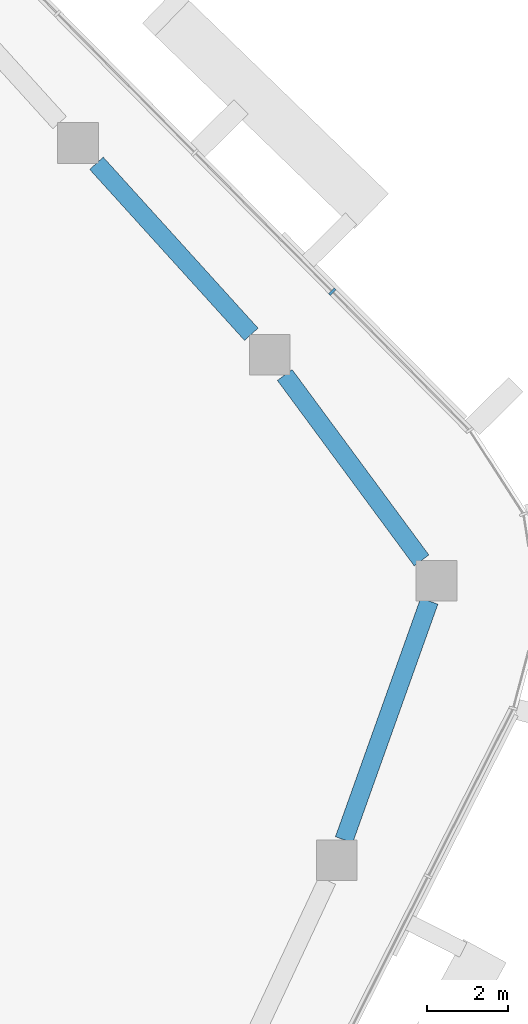
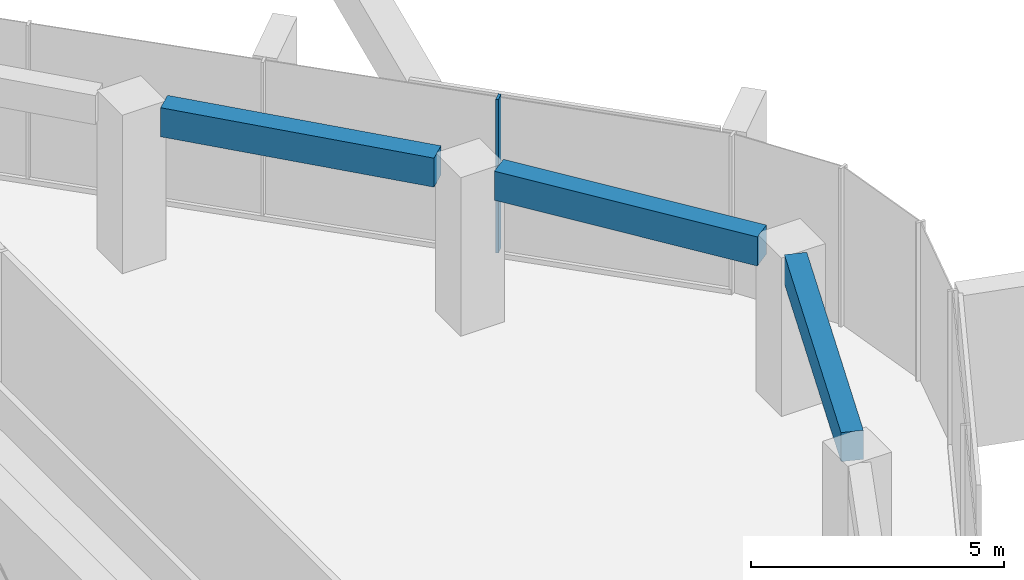
# One storey, part 8 of 23: 3 beams, 1 member, 1 element without a shape of its own.
"""IFC4 building model written with IfcOpenShell, lengths in metres."""

from ifc_helpers import new_model, si_unit, direction, frame, origin, origin_2d, place, context, subcontext, project, spatial, rectangle, extrude, material, layer, layer_set, material_profile, profile_set, type_object, element, aggregate, save


model = new_model("IFC4")

# Units and contexts
model_context = context("Model", 3, precision=1e-05, world=origin(), true_north=direction((0.0, 1.0)))
body_context = subcontext(model_context, "Body", "Model", "MODEL_VIEW")
ifc_project = project(units=[si_unit("LENGTHUNIT", "METRE"), si_unit("AREAUNIT", "SQUARE_METRE"), si_unit("VOLUMEUNIT", "CUBIC_METRE"), si_unit("PLANEANGLEUNIT", "RADIAN"), si_unit("MASSUNIT", "GRAM", prefix="KILO")], contexts=[model_context])

# Site, building, storey
site_placement = place(None, origin())
site = spatial("IfcSite", under=ifc_project, at=site_placement, CompositionType="ELEMENT")
building_placement = place(site_placement, origin())
building = spatial("IfcBuilding", under=site, at=building_placement, Name="Dongbaek Canopy Tower", CompositionType="ELEMENT")
storey_placement = place(building_placement, frame((0.0, 0.0, 327.800048828125)))
storey = spatial("IfcBuildingStorey", under=building, at=storey_placement, Name="L70", CompositionType="ELEMENT", Elevation=327.800048828125)

# Curtain wall, member
ifc_material_1 = material(Name="Aluminium 6063-T6 pale anodised", Category="aluminium")
ifc_layer = layer(ifc_material_1, 0.199951171875)
ifc_layer_set = layer_set([ifc_layer], Name="CW-1 unitised tower curtain wall")
curtain_wall_type = type_object("IfcCurtainWallType", Name="CW-1 unitised tower curtain wall", PredefinedType="NOTDEFINED", material=ifc_layer_set)
curtain_wall_placement = place(storey_placement, origin())
curtain_wall = element("IfcCurtainWall", 1, at=curtain_wall_placement, inside=storey, type_object=curtain_wall_type, Name="CW-1 curtain wall F0.1", PredefinedType="NOTDEFINED")
ifc_material_2 = material(Name="Aluminium 6063-T6 pale anodised", Category="aluminium")
ifc_material_profile_1 = material_profile(ifc_material_2, rectangle(XDim=0.199951171875, YDim=0.06005859375, at=origin_2d()), Name="CW-1 mullion 60 x 200")
ifc_profile_set_1 = profile_set([ifc_material_profile_1], Name="Aluminium 6063-T6 pale anodised")
member_type = type_object("IfcMemberType", Name="CW-1 mullion 60 x 200", PredefinedType="MULLION", material=ifc_profile_set_1)
member_placement = place(storey_placement, frame((28.243408203125, 13.805419921875, 0.119873046875), z_axis=(0.0, 0.0, 1.0), x_axis=(0.711035260325, 0.703156354287, 0.0)))
member = element("IfcMember", 2, at=member_placement, type_object=member_type, Name="CW-1 mullion F0.1.2", PredefinedType="MULLION", context=body_context, shape_type="SweptSolid", body=[
    extrude(rectangle(XDim=0.199951171875, YDim=0.06005859375, at=origin_2d()), origin(), (0.0, 0.0, 1.0), 3.7001953125),
])
aggregate(curtain_wall, [member])

# Beams
ifc_material_3 = material(Name="Concrete C60", Category="concrete")
ifc_material_profile_2 = material_profile(ifc_material_3, rectangle(XDim=0.449951171875, YDim=0.699951171875, at=origin_2d()), Name="RC EDGE BEAM 450x700 C60")
ifc_profile_set_2 = profile_set([ifc_material_profile_2], Name="Concrete C60")
beam_type = type_object("IfcBeamType", Name="RC EDGE BEAM 450x700 C60", PredefinedType="BEAM", material=ifc_profile_set_2)
beam_1_placement = place(storey_placement, frame((22.442626953125, 16.9619140625, 3.469970703125), z_axis=(0.671227680473, -0.741251240112, 0.0), x_axis=(0.741251240112, 0.671227680473, 0.0)))
element("IfcBeam", 3, at=beam_1_placement, inside=storey, type_object=beam_type, Name="EDGEBEAM:L70:19", PredefinedType="BEAM", context=body_context, shape_type="SweptSolid", body=[
    extrude(rectangle(XDim=0.449951171875, YDim=0.699951171875, at=origin_2d()), origin(), (0.0, 0.0, 1.0), 5.672607421875),
])
beam_2_placement = place(storey_placement, frame((27.072021484375, 11.757080078125, 3.469970703125), z_axis=(0.593735402363, -0.804660345724, 0.0), x_axis=(0.804660345724, 0.593735402363, 0.0)))
element("IfcBeam", 4, at=beam_2_placement, inside=storey, type_object=beam_type, Name="EDGEBEAM:L70:20", PredefinedType="BEAM", context=body_context, shape_type="SweptSolid", body=[
    extrude(rectangle(XDim=0.449951171875, YDim=0.699951171875, at=origin_2d()), origin(), (0.0, 0.0, 1.0), 5.665771484375),
])
beam_3_placement = place(storey_placement, frame((30.626220703125, 6.197998046875, 3.469970703125), z_axis=(-0.336443121865, -0.941703788752, 0.0), x_axis=(0.941703788752, -0.336443121865, 0.0)))
element("IfcBeam", 5, at=beam_3_placement, inside=storey, type_object=beam_type, Name="EDGEBEAM:L70:21", PredefinedType="BEAM", context=body_context, shape_type="SweptSolid", body=[
    extrude(rectangle(XDim=0.449951171875, YDim=0.699951171875, at=origin_2d()), origin(), (0.0, 0.0, 1.0), 6.231201171875),
])

save(model, "model.ifc")
